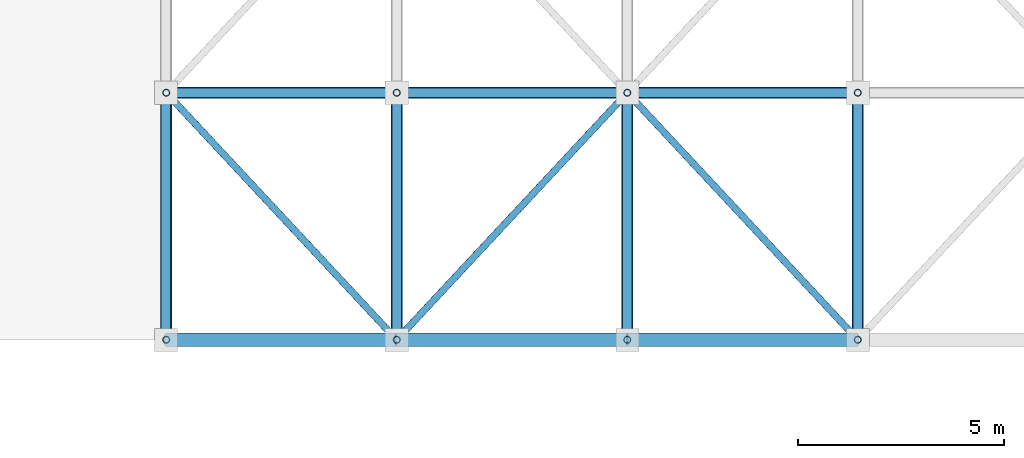
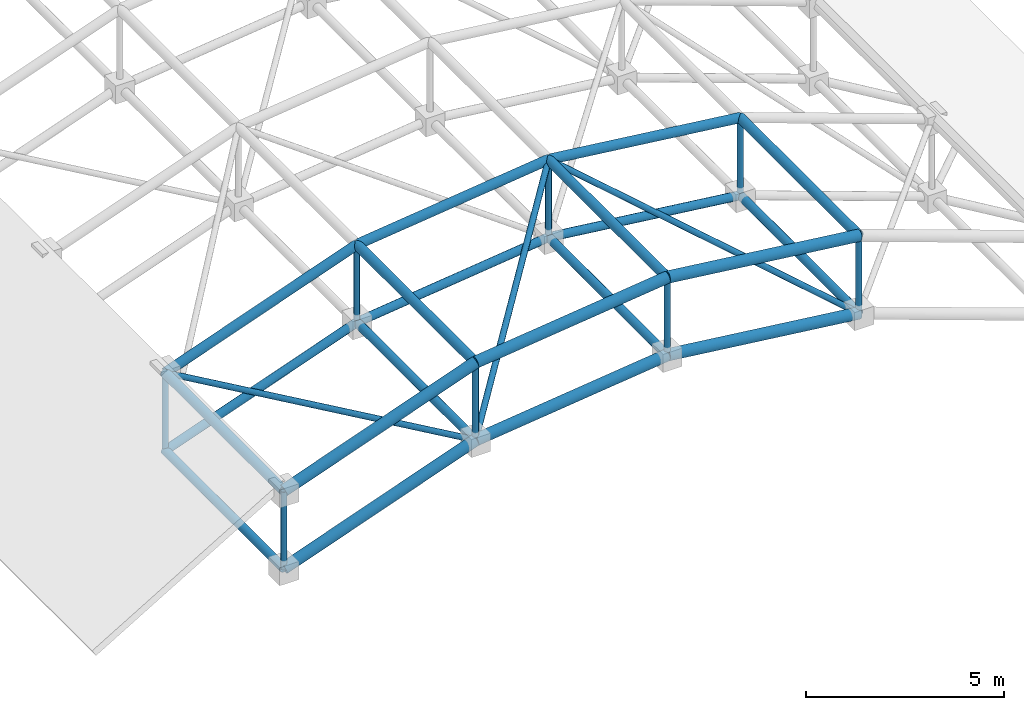
# One storey, part 85 of 140: 31 members.
"""IFC4 building model written with IfcOpenShell, lengths in metres."""

import ifcopenshell
import ifcopenshell.guid

model = None  # the IFC model being written
_history = None  # IfcOwnerHistory: only IFC2X3 demands one
_inside = {}  # id of a spatial element -> (the spatial element, [elements in it])
_under = {}  # id of a project, library or spatial element -> (it, [spatial elements below it])
_declared = {}  # id of a project -> (the project, [libraries it declares])
_typed = {}  # id of a type object -> (the type object, [elements of that type])
_made_of = {}  # id of a material, layer set ... -> (it, [elements and type objects made of it])


def new_model(schema):
    """Start an empty IFC model of exactly this schema.

    Asked for "IFC4X3", IfcOpenShell would pick the latest addendum, in which some entities
    have other attributes; the version numbers below select the first issue.
    IFC2X3 requires an IfcOwnerHistory on every rooted entity: one is made here for all.
    """
    global model, _history
    if schema == "IFC4X3":
        model = ifcopenshell.file(schema_version=(4, 3, 0, 0))
    else:
        model = ifcopenshell.file(schema=schema)
    _inside.clear()
    _under.clear()
    _declared.clear()
    _typed.clear()
    _made_of.clear()
    _history = None
    if model.schema == "IFC2X3":
        org = make("IfcOrganization", Name="unknown")
        user = make(
            "IfcPersonAndOrganization",
            ThePerson=make("IfcPerson", FamilyName="unknown"),
            TheOrganization=org,
        )
        app = make(
            "IfcApplication",
            ApplicationDeveloper=org,
            Version="unknown",
            ApplicationFullName="unknown",
            ApplicationIdentifier="unknown",
        )
        _history = make(
            "IfcOwnerHistory",
            OwningUser=user,
            OwningApplication=app,
            ChangeAction="ADDED",
            CreationDate=0,
        )
    return model


def make(cls, **values):
    """One entity of the class cls with the attributes given. An attribute that is None is left unset."""
    return model.create_entity(
        cls, **{name: value for name, value in values.items() if value is not None}
    )


def rooted(cls, **values):
    """An entity with a GlobalId (a new one), such as an element, a storey or a relation."""
    return make(cls, GlobalId=ifcopenshell.guid.new(), OwnerHistory=_history, **values)


def si_unit(unit_type, name, prefix=None):
    """IfcSIUnit, for example si_unit("LENGTHUNIT", "METRE", prefix="MILLI")."""
    return make("IfcSIUnit", UnitType=unit_type, Prefix=prefix, Name=name)


def assignment(units):
    """IfcUnitAssignment: the units of a project."""
    return None if units is None else make("IfcUnitAssignment", Units=units)


def point(xyz):
    """IfcCartesianPoint."""
    return None if xyz is None else make("IfcCartesianPoint", Coordinates=xyz)


def direction(xyz):
    """IfcDirection."""
    return None if xyz is None else make("IfcDirection", DirectionRatios=xyz)


def frame(location, z_axis=None, x_axis=None):
    """IfcAxis2Placement3D, a coordinate frame: its origin and axes. An axis left out is left unset."""
    return make(
        "IfcAxis2Placement3D",
        Location=point(location),
        Axis=direction(z_axis),
        RefDirection=direction(x_axis),
    )


def frame_2d(location, x_axis=None):
    """IfcAxis2Placement2D, a coordinate frame in the plane: its origin and x axis."""
    return make(
        "IfcAxis2Placement2D", Location=point(location), RefDirection=direction(x_axis)
    )


def origin():
    """The frame at (0, 0, 0) with its axes left unset."""
    return frame((0.0, 0.0, 0.0))


def origin_2d():
    """The frame at (0, 0) in the plane with its x axis left unset."""
    return frame_2d((0.0, 0.0))


def place(relative_to, where):
    """IfcLocalPlacement: puts the frame where relative to a parent placement (None: the world)."""
    return make(
        "IfcLocalPlacement", PlacementRelTo=relative_to, RelativePlacement=where
    )


def context(
    kind, dimensions, precision=None, world=None, true_north=None, identifier=None
):
    """IfcGeometricRepresentationContext, for example the 3D "Model" context."""
    return make(
        "IfcGeometricRepresentationContext",
        ContextIdentifier=identifier,
        ContextType=kind,
        CoordinateSpaceDimension=dimensions,
        Precision=precision,
        WorldCoordinateSystem=world,
        TrueNorth=true_north,
    )


def subcontext(parent, identifier, kind, view, scale=None):
    """IfcGeometricRepresentationSubContext, for example "Body" below "Model"."""
    return make(
        "IfcGeometricRepresentationSubContext",
        ContextIdentifier=identifier,
        ContextType=kind,
        ParentContext=parent,
        TargetScale=scale,
        TargetView=view,
    )


def project(units=None, contexts=None):
    """IfcProject with its units and contexts."""
    return rooted(
        "IfcProject",
        Name="project",
        RepresentationContexts=contexts,
        UnitsInContext=assignment(units),
    )


def spatial(cls, under=None, at=None, **own):
    """A site, building, storey or space (cls), placed at a placement, below another one or the project."""
    s = rooted(cls, ObjectPlacement=at, **own)
    if under is not None:
        _under.setdefault(under.id(), (under, []))[1].append(s)
    return s


def profile(cls, at=None, kind="AREA", **sizes):
    """A parametric profile (cls). Its sizes go by their IFC names, for example OverallWidth=200.0."""
    return make(cls, ProfileType=kind, Position=at, **sizes)


def hollow_circle(**sizes):
    """IfcCircleHollowProfileDef."""
    return profile("IfcCircleHollowProfileDef", **sizes)


def extrude(swept, where, along, depth):
    """IfcExtrudedAreaSolid: the profile swept, set in the frame where, extruded along a direction by depth."""
    return make(
        "IfcExtrudedAreaSolid",
        SweptArea=swept,
        Position=where,
        ExtrudedDirection=direction(along),
        Depth=depth,
    )


def shape(context_of_items, identifier, shape_type, items):
    """IfcShapeRepresentation: the items that make up one representation, for example the "Body"."""
    return make(
        "IfcShapeRepresentation",
        ContextOfItems=context_of_items,
        RepresentationIdentifier=identifier,
        RepresentationType=shape_type,
        Items=items,
    )


def material(Name=None, Category=None):
    """IfcMaterial."""
    return make("IfcMaterial", Name=Name, Category=Category)


def material_profile(
    of_material, cross_section, Name=None, Category=None, Priority=None
):
    """IfcMaterialProfile: a cross section and its material."""
    return make(
        "IfcMaterialProfile",
        Name=Name,
        Material=of_material,
        Profile=cross_section,
        Priority=Priority,
        Category=Category,
    )


def profile_set(profiles, Name=None, composite=None):
    """IfcMaterialProfileSet."""
    return make(
        "IfcMaterialProfileSet",
        Name=Name,
        MaterialProfiles=profiles,
        CompositeProfile=composite,
    )


def made_of(thing, what):
    """Note that an element or type object is made of a material, layer set ...; save() writes the relation."""
    if what is not None:
        _made_of.setdefault(what.id(), (what, []))[1].append(thing)
    return thing


def type_object(cls, material=None, **own):
    """A type object (cls), such as IfcWallType, which elements share."""
    return made_of(rooted(cls, **own), material)


def element(
    cls,
    number,
    at=None,
    inside=None,
    cuts=None,
    type_object=None,
    material=None,
    context=None,
    identifier="Body",
    shape_type=None,
    held_by="IfcProductDefinitionShape",
    body=None,
    shapes=None,
    **own,
):
    """One element of the class cls, such as IfcWall. Its Tag is "e" and its number.

    at: its placement. inside: the storey or other place that contains it. cuts: it is an
    opening in that element (IfcRelVoidsElement). A single representation is given by context,
    identifier, shape_type and body (its items); several are given by shapes. held_by: the class
    of the entity that holds the representations. save() writes the other relations.
    """
    e = rooted(cls, Tag="e%d" % number, ObjectPlacement=at, **own)
    if body is not None:
        shapes = [shape(context, identifier, shape_type, body)]
    if shapes is not None:
        e.Representation = make(held_by, Representations=shapes)
    if inside is not None:
        _inside.setdefault(inside.id(), (inside, []))[1].append(e)
    if cuts is not None:
        rooted(
            "IfcRelVoidsElement", RelatingBuildingElement=cuts, RelatedOpeningElement=e
        )
    if type_object is not None:
        _typed.setdefault(type_object.id(), (type_object, []))[1].append(e)
    return made_of(e, material)


def aggregate(whole, parts):
    """IfcRelAggregates: a whole, such as a stair, and the parts it consists of."""
    return rooted("IfcRelAggregates", RelatingObject=whole, RelatedObjects=parts)


def save(model, path):
    """Write the relations noted so far, then the file.

    IfcRelAggregates (storeys below a building ...), IfcRelContainedInSpatialStructure (elements
    in a storey), IfcRelDefinesByType, IfcRelAssociatesMaterial and IfcRelDeclares: one each for
    every whole, place, type object, material and project.
    """
    for whole, parts in _under.values():
        aggregate(whole, parts)
    for where, things in _inside.values():
        rooted(
            "IfcRelContainedInSpatialStructure",
            RelatedElements=things,
            RelatingStructure=where,
        )
    for kind, things in _typed.values():
        rooted("IfcRelDefinesByType", RelatedObjects=things, RelatingType=kind)
    for what, things in _made_of.values():
        rooted("IfcRelAssociatesMaterial", RelatedObjects=things, RelatingMaterial=what)
    for by, libraries in _declared.values():
        rooted("IfcRelDeclares", RelatingContext=by, RelatedDefinitions=libraries)
    model.write(path)


model = new_model("IFC4")

# Units and contexts
model_context = context("Model", 3, precision=1e-05, world=origin(), true_north=direction((0.0, 1.0)))
body_context = subcontext(model_context, "Body", "Model", "MODEL_VIEW")
ifc_project = project(units=[si_unit("LENGTHUNIT", "METRE"), si_unit("AREAUNIT", "SQUARE_METRE"), si_unit("VOLUMEUNIT", "CUBIC_METRE"), si_unit("PLANEANGLEUNIT", "RADIAN"), si_unit("MASSUNIT", "GRAM", prefix="KILO")], contexts=[model_context])

# Site, building, storey
site_placement = place(None, origin())
site = spatial("IfcSite", under=ifc_project, at=site_placement, CompositionType="ELEMENT")
building_placement = place(site_placement, origin())
building = spatial("IfcBuilding", under=site, at=building_placement, Name="Trelvath General Hospital", CompositionType="ELEMENT")
storey_placement = place(building_placement, frame((0.0, 0.0, 16.199951171875)))
storey = spatial("IfcBuildingStorey", under=building, at=storey_placement, Name="L04", CompositionType="ELEMENT", Elevation=16.199951171875)

# Members
ifc_material_1 = material(Name="Steel S355", Category="steel")
ifc_material_profile_1 = material_profile(ifc_material_1, hollow_circle(Radius=0.122314453125, WallThickness=0.010009765625, at=origin_2d()), Name="CHS244.5x10.0")
ifc_profile_set_1 = profile_set([ifc_material_profile_1], Name="Steel S355")
member_type_1 = type_object("IfcMemberType", Name="SpaceFrameBottomChord CHS244", PredefinedType="CHORD", material=ifc_profile_set_1)
member_1_placement = place(storey_placement, frame((148.39990234375, 25.199951171875, 0.033447265625), z_axis=(0.0, 1.0, 0.0), x_axis=(-1.0, 0.0, 0.0)))
element("IfcMember", 1, at=member_1_placement, inside=storey, type_object=member_type_1, Name="Space Frame Bottom Chord Y 2-1", PredefinedType="CHORD", context=body_context, shape_type="SweptSolid", body=[
    extrude(hollow_circle(Radius=0.122314453125, WallThickness=0.010009765625, at=origin_2d()), origin(), (0.0, 0.0, 1.0), 6.0),
])
member_2_placement = place(storey_placement, frame((148.39990234375, 31.199951171875, 0.033447265625), z_axis=(0.94174376932, 0.0, 0.336331195321), x_axis=(0.0, 1.0, 0.0)))
element("IfcMember", 2, at=member_2_placement, inside=storey, type_object=member_type_1, Name="Space Frame Bottom Chord X 2-2", PredefinedType="CHORD", context=body_context, shape_type="SweptSolid", body=[
    extrude(hollow_circle(Radius=0.122314453125, WallThickness=0.010009765625, at=origin_2d()), origin(), (0.0, 0.0, 1.0), 5.946533203125),
])
member_3_placement = place(storey_placement, frame((154.0, 25.199951171875, 2.033447265625), z_axis=(0.0, 1.0, 0.0), x_axis=(-1.0, 0.0, 0.0)))
element("IfcMember", 3, at=member_3_placement, inside=storey, type_object=member_type_1, Name="Space Frame Bottom Chord Y 3-1", PredefinedType="CHORD", context=body_context, shape_type="SweptSolid", body=[
    extrude(hollow_circle(Radius=0.122314453125, WallThickness=0.010009765625, at=origin_2d()), origin(), (0.0, 0.0, 1.0), 6.0),
])
member_4_placement = place(storey_placement, frame((154.0, 31.199951171875, 2.033447265625), z_axis=(0.99299190343, 0.0, 0.118182400225), x_axis=(0.0, 1.0, 0.0)))
element("IfcMember", 4, at=member_4_placement, inside=storey, type_object=member_type_1, Name="Space Frame Bottom Chord X 3-2", PredefinedType="CHORD", context=body_context, shape_type="SweptSolid", body=[
    extrude(hollow_circle(Radius=0.122314453125, WallThickness=0.010009765625, at=origin_2d()), origin(), (0.0, 0.0, 1.0), 5.6396484375),
])
member_5_placement = place(storey_placement, frame((159.60009765625, 25.199951171875, 2.699951171875), z_axis=(0.0, 1.0, 0.0), x_axis=(-1.0, 0.0, 0.0)))
element("IfcMember", 5, at=member_5_placement, inside=storey, type_object=member_type_1, Name="Space Frame Bottom Chord Y 4-1", PredefinedType="CHORD", context=body_context, shape_type="SweptSolid", body=[
    extrude(hollow_circle(Radius=0.122314453125, WallThickness=0.010009765625, at=origin_2d()), origin(), (0.0, 0.0, 1.0), 6.0),
])
member_6_placement = place(storey_placement, frame((159.60009765625, 31.199951171875, 2.699951171875), z_axis=(0.992991298752, 0.0, -0.118187480734), x_axis=(0.0, 1.0, 0.0)))
element("IfcMember", 6, at=member_6_placement, inside=storey, type_object=member_type_1, Name="Space Frame Bottom Chord X 4-2", PredefinedType="CHORD", context=body_context, shape_type="SweptSolid", body=[
    extrude(hollow_circle(Radius=0.122314453125, WallThickness=0.010009765625, at=origin_2d()), origin(), (0.0, 0.0, 1.0), 5.639404296875),
])
member_7_placement = place(storey_placement, frame((165.199951171875, 25.199951171875, 2.033447265625), z_axis=(0.0, 1.0, 0.0), x_axis=(-1.0, 0.0, 0.0)))
element("IfcMember", 7, at=member_7_placement, inside=storey, type_object=member_type_1, Name="Space Frame Bottom Chord Y 5-1", PredefinedType="CHORD", context=body_context, shape_type="SweptSolid", body=[
    extrude(hollow_circle(Radius=0.122314453125, WallThickness=0.010009765625, at=origin_2d()), origin(), (0.0, 0.0, 1.0), 6.0),
])
ifc_material_2 = material(Name="Steel S355", Category="steel")
ifc_material_profile_2 = material_profile(ifc_material_2, hollow_circle(Radius=0.084228515625, WallThickness=0.008056640625, at=origin_2d()), Name="CHS168.3x8.0")
ifc_profile_set_2 = profile_set([ifc_material_profile_2], Name="Steel S355")
member_type_2 = type_object("IfcMemberType", Name="SpaceFrameDiagStd CHS168", PredefinedType="BRACE", material=ifc_profile_set_2)
member_8_placement = place(storey_placement, frame((148.39990234375, 25.199951171875, 0.033447265625), z_axis=(0.0, 0.0, 1.0), x_axis=(1.0, 0.0, 0.0)))
element("IfcMember", 8, at=member_8_placement, inside=storey, type_object=member_type_2, Name="Space Frame Web Post 2-1", PredefinedType="BRACE", context=body_context, shape_type="SweptSolid", body=[
    extrude(hollow_circle(Radius=0.084228515625, WallThickness=0.008056640625, at=origin_2d()), origin(), (0.0, 0.0, 1.0), 2.39990234375),
])
member_9_placement = place(storey_placement, frame((154.0, 25.199951171875, 2.033447265625), z_axis=(-0.681516095791, 0.730183083536, 0.048666987745), x_axis=(-0.731049333052, -0.682324609438, 0.0)))
element("IfcMember", 9, at=member_9_placement, inside=storey, type_object=member_type_2, Name="Space Frame Web Diagonal B 2-1", PredefinedType="BRACE", context=body_context, shape_type="SweptSolid", body=[
    extrude(hollow_circle(Radius=0.084228515625, WallThickness=0.008056640625, at=origin_2d()), origin(), (0.0, 0.0, 1.0), 8.217041015625),
])
for number, where, z_axis, x_axis, name in (
    (10, (148.39990234375, 31.199951171875, 0.033447265625), (0.0, 0.0, 1.0), (1.0, 0.0, 0.0), "Space Frame Web Post 2-2"),
    (11, (154.0, 25.199951171875, 2.033447265625), (0.0, 0.0, 1.0), (1.0, 0.0, 0.0), "Space Frame Web Post 3-1"),
):
    element("IfcMember", number, at=place(storey_placement, frame(where, z_axis=z_axis, x_axis=x_axis)), inside=storey, type_object=member_type_2, Name=name, PredefinedType="BRACE", context=body_context, shape_type="SweptSolid", body=[
        extrude(hollow_circle(Radius=0.084228515625, WallThickness=0.008056640625, at=origin_2d()), origin(), (0.0, 0.0, 1.0), 2.39990234375),
    ])
member_10_placement = place(storey_placement, frame((154.0, 25.199951171875, 2.033447265625), z_axis=(0.639164628842, 0.684807303096, 0.350010763924), x_axis=(-0.731049333052, 0.682324609438, 0.0)))
element("IfcMember", 12, at=member_10_placement, inside=storey, type_object=member_type_2, Name="Space Frame Web Diagonal A 3-1", PredefinedType="BRACE", context=body_context, shape_type="SweptSolid", body=[
    extrude(hollow_circle(Radius=0.084228515625, WallThickness=0.008056640625, at=origin_2d()), origin(), (0.0, 0.0, 1.0), 8.761474609375),
])
member_11_placement = place(storey_placement, frame((154.0, 31.199951171875, 2.033447265625), z_axis=(0.0, 0.0, 1.0), x_axis=(1.0, 0.0, 0.0)))
element("IfcMember", 13, at=member_11_placement, inside=storey, type_object=member_type_2, Name="Space Frame Web Post 3-2", PredefinedType="BRACE", context=body_context, shape_type="SweptSolid", body=[
    extrude(hollow_circle(Radius=0.084228515625, WallThickness=0.008056640625, at=origin_2d()), origin(), (0.0, 0.0, 1.0), 2.39990234375),
])
member_12_placement = place(storey_placement, frame((159.60009765625, 25.199951171875, 2.699951171875), z_axis=(0.0, 0.0, 1.0), x_axis=(1.0, 0.0, 0.0)))
element("IfcMember", 14, at=member_12_placement, inside=storey, type_object=member_type_2, Name="Space Frame Web Post 4-1", PredefinedType="BRACE", context=body_context, shape_type="SweptSolid", body=[
    extrude(hollow_circle(Radius=0.084228515625, WallThickness=0.008056640625, at=origin_2d()), origin(), (0.0, 0.0, 1.0), 2.400146484375),
])
member_13_placement = place(storey_placement, frame((165.199951171875, 25.199951171875, 2.033447265625), z_axis=(-0.639148147201, 0.684819499743, 0.350016997732), x_axis=(-0.731064171106, -0.682308711453, 0.0)))
element("IfcMember", 15, at=member_13_placement, inside=storey, type_object=member_type_2, Name="Space Frame Web Diagonal B 4-1", PredefinedType="BRACE", context=body_context, shape_type="SweptSolid", body=[
    extrude(hollow_circle(Radius=0.084228515625, WallThickness=0.008056640625, at=origin_2d()), origin(), (0.0, 0.0, 1.0), 8.761474609375),
])
member_14_placement = place(storey_placement, frame((159.60009765625, 31.199951171875, 2.699951171875), z_axis=(0.0, 0.0, 1.0), x_axis=(1.0, 0.0, 0.0)))
element("IfcMember", 16, at=member_14_placement, inside=storey, type_object=member_type_2, Name="Space Frame Web Post 4-2", PredefinedType="BRACE", context=body_context, shape_type="SweptSolid", body=[
    extrude(hollow_circle(Radius=0.084228515625, WallThickness=0.008056640625, at=origin_2d()), origin(), (0.0, 0.0, 1.0), 2.400146484375),
])
for number, where, z_axis, x_axis, name in (
    (17, (165.199951171875, 25.199951171875, 2.033447265625), (0.0, 0.0, 1.0), (1.0, 0.0, 0.0), "Space Frame Web Post 5-1"),
    (18, (165.199951171875, 31.199951171875, 2.033447265625), (0.0, 0.0, 1.0), (1.0, 0.0, 0.0), "Space Frame Web Post 5-2"),
):
    element("IfcMember", number, at=place(storey_placement, frame(where, z_axis=z_axis, x_axis=x_axis)), inside=storey, type_object=member_type_2, Name=name, PredefinedType="BRACE", context=body_context, shape_type="SweptSolid", body=[
        extrude(hollow_circle(Radius=0.084228515625, WallThickness=0.008056640625, at=origin_2d()), origin(), (0.0, 0.0, 1.0), 2.39990234375),
    ])
ifc_material_3 = material(Name="Steel S355", Category="steel")
ifc_material_profile_3 = material_profile(ifc_material_3, hollow_circle(Radius=0.161865234375, WallThickness=0.012451171875, at=origin_2d()), Name="CHS323.9x12.5")
ifc_profile_set_3 = profile_set([ifc_material_profile_3], Name="Steel S355")
member_type_3 = type_object("IfcMemberType", Name="SpaceFrameEdgeChord CHS323", PredefinedType="CHORD", material=ifc_profile_set_3)
for number, where, z_axis, x_axis, name in (
    (19, (148.39990234375, 25.199951171875, 0.033447265625), (0.94174376932, 0.0, 0.336331195321), (0.0, 1.0, 0.0), "Space Frame Bottom Chord X 2-1"),
    (20, (148.39990234375, 25.199951171875, 2.433349609375), (0.94174376932, 0.0, 0.336331195321), (0.0, 1.0, 0.0), "Space Frame Top Chord X 2-1"),
):
    element("IfcMember", number, at=place(storey_placement, frame(where, z_axis=z_axis, x_axis=x_axis)), inside=storey, type_object=member_type_3, Name=name, PredefinedType="CHORD", context=body_context, shape_type="SweptSolid", body=[
        extrude(hollow_circle(Radius=0.161865234375, WallThickness=0.012451171875, at=origin_2d()), origin(), (0.0, 0.0, 1.0), 5.946533203125),
    ])
for number, where, z_axis, x_axis, name in (
    (21, (154.0, 25.199951171875, 2.033447265625), (0.99299190343, 0.0, 0.118182400225), (0.0, 1.0, 0.0), "Space Frame Bottom Chord X 3-1"),
    (22, (154.0, 25.199951171875, 4.433349609375), (0.992986822246, 0.0, 0.118225085516), (0.0, 1.0, 0.0), "Space Frame Top Chord X 3-1"),
):
    element("IfcMember", number, at=place(storey_placement, frame(where, z_axis=z_axis, x_axis=x_axis)), inside=storey, type_object=member_type_3, Name=name, PredefinedType="CHORD", context=body_context, shape_type="SweptSolid", body=[
        extrude(hollow_circle(Radius=0.161865234375, WallThickness=0.012451171875, at=origin_2d()), origin(), (0.0, 0.0, 1.0), 5.6396484375),
    ])
for number, where, z_axis, x_axis, name in (
    (23, (159.60009765625, 25.199951171875, 2.699951171875), (0.992991298752, 0.0, -0.118187480734), (0.0, 1.0, 0.0), "Space Frame Bottom Chord X 4-1"),
    (24, (159.60009765625, 25.199951171875, 5.10009765625), (0.992986217135, 0.0, -0.118230167807), (0.0, 1.0, 0.0), "Space Frame Top Chord X 4-1"),
):
    element("IfcMember", number, at=place(storey_placement, frame(where, z_axis=z_axis, x_axis=x_axis)), inside=storey, type_object=member_type_3, Name=name, PredefinedType="CHORD", context=body_context, shape_type="SweptSolid", body=[
        extrude(hollow_circle(Radius=0.161865234375, WallThickness=0.012451171875, at=origin_2d()), origin(), (0.0, 0.0, 1.0), 5.639404296875),
    ])
ifc_material_4 = material(Name="Steel S355", Category="steel")
ifc_material_profile_4 = material_profile(ifc_material_4, hollow_circle(Radius=0.136474609375, WallThickness=0.012451171875, at=origin_2d()), Name="CHS273.0x12.5")
ifc_profile_set_4 = profile_set([ifc_material_profile_4], Name="Steel S355")
member_type_4 = type_object("IfcMemberType", Name="SpaceFrameTopChord CHS273", PredefinedType="CHORD", material=ifc_profile_set_4)
member_15_placement = place(storey_placement, frame((148.39990234375, 25.199951171875, 2.433349609375), z_axis=(0.0, 1.0, 0.0), x_axis=(-1.0, 0.0, 0.0)))
element("IfcMember", 25, at=member_15_placement, inside=storey, type_object=member_type_4, Name="Space Frame Top Chord Y 2-1", PredefinedType="CHORD", context=body_context, shape_type="SweptSolid", body=[
    extrude(hollow_circle(Radius=0.136474609375, WallThickness=0.012451171875, at=origin_2d()), origin(), (0.0, 0.0, 1.0), 6.0),
])
member_16_placement = place(storey_placement, frame((148.39990234375, 31.199951171875, 2.433349609375), z_axis=(0.94174376932, 0.0, 0.336331195321), x_axis=(0.0, 1.0, 0.0)))
element("IfcMember", 26, at=member_16_placement, inside=storey, type_object=member_type_4, Name="Space Frame Top Chord X 2-2", PredefinedType="CHORD", context=body_context, shape_type="SweptSolid", body=[
    extrude(hollow_circle(Radius=0.136474609375, WallThickness=0.012451171875, at=origin_2d()), origin(), (0.0, 0.0, 1.0), 5.946533203125),
])
member_17_placement = place(storey_placement, frame((154.0, 25.199951171875, 4.433349609375), z_axis=(0.0, 1.0, 0.0), x_axis=(-1.0, 0.0, 0.0)))
element("IfcMember", 27, at=member_17_placement, inside=storey, type_object=member_type_4, Name="Space Frame Top Chord Y 3-1", PredefinedType="CHORD", context=body_context, shape_type="SweptSolid", body=[
    extrude(hollow_circle(Radius=0.136474609375, WallThickness=0.012451171875, at=origin_2d()), origin(), (0.0, 0.0, 1.0), 6.0),
])
member_18_placement = place(storey_placement, frame((154.0, 31.199951171875, 4.433349609375), z_axis=(0.992986822246, 0.0, 0.118225085516), x_axis=(0.0, 1.0, 0.0)))
element("IfcMember", 28, at=member_18_placement, inside=storey, type_object=member_type_4, Name="Space Frame Top Chord X 3-2", PredefinedType="CHORD", context=body_context, shape_type="SweptSolid", body=[
    extrude(hollow_circle(Radius=0.136474609375, WallThickness=0.012451171875, at=origin_2d()), origin(), (0.0, 0.0, 1.0), 5.6396484375),
])
member_19_placement = place(storey_placement, frame((159.60009765625, 25.199951171875, 5.10009765625), z_axis=(0.0, 1.0, 0.0), x_axis=(-1.0, 0.0, 0.0)))
element("IfcMember", 29, at=member_19_placement, inside=storey, type_object=member_type_4, Name="Space Frame Top Chord Y 4-1", PredefinedType="CHORD", context=body_context, shape_type="SweptSolid", body=[
    extrude(hollow_circle(Radius=0.136474609375, WallThickness=0.012451171875, at=origin_2d()), origin(), (0.0, 0.0, 1.0), 6.0),
])
member_20_placement = place(storey_placement, frame((159.60009765625, 31.199951171875, 5.10009765625), z_axis=(0.992986217135, 0.0, -0.118230167807), x_axis=(0.0, 1.0, 0.0)))
element("IfcMember", 30, at=member_20_placement, inside=storey, type_object=member_type_4, Name="Space Frame Top Chord X 4-2", PredefinedType="CHORD", context=body_context, shape_type="SweptSolid", body=[
    extrude(hollow_circle(Radius=0.136474609375, WallThickness=0.012451171875, at=origin_2d()), origin(), (0.0, 0.0, 1.0), 5.639404296875),
])
member_21_placement = place(storey_placement, frame((165.199951171875, 25.199951171875, 4.433349609375), z_axis=(0.0, 1.0, 0.0), x_axis=(-1.0, 0.0, 0.0)))
element("IfcMember", 31, at=member_21_placement, inside=storey, type_object=member_type_4, Name="Space Frame Top Chord Y 5-1", PredefinedType="CHORD", context=body_context, shape_type="SweptSolid", body=[
    extrude(hollow_circle(Radius=0.136474609375, WallThickness=0.012451171875, at=origin_2d()), origin(), (0.0, 0.0, 1.0), 6.0),
])

save(model, "model.ifc")
